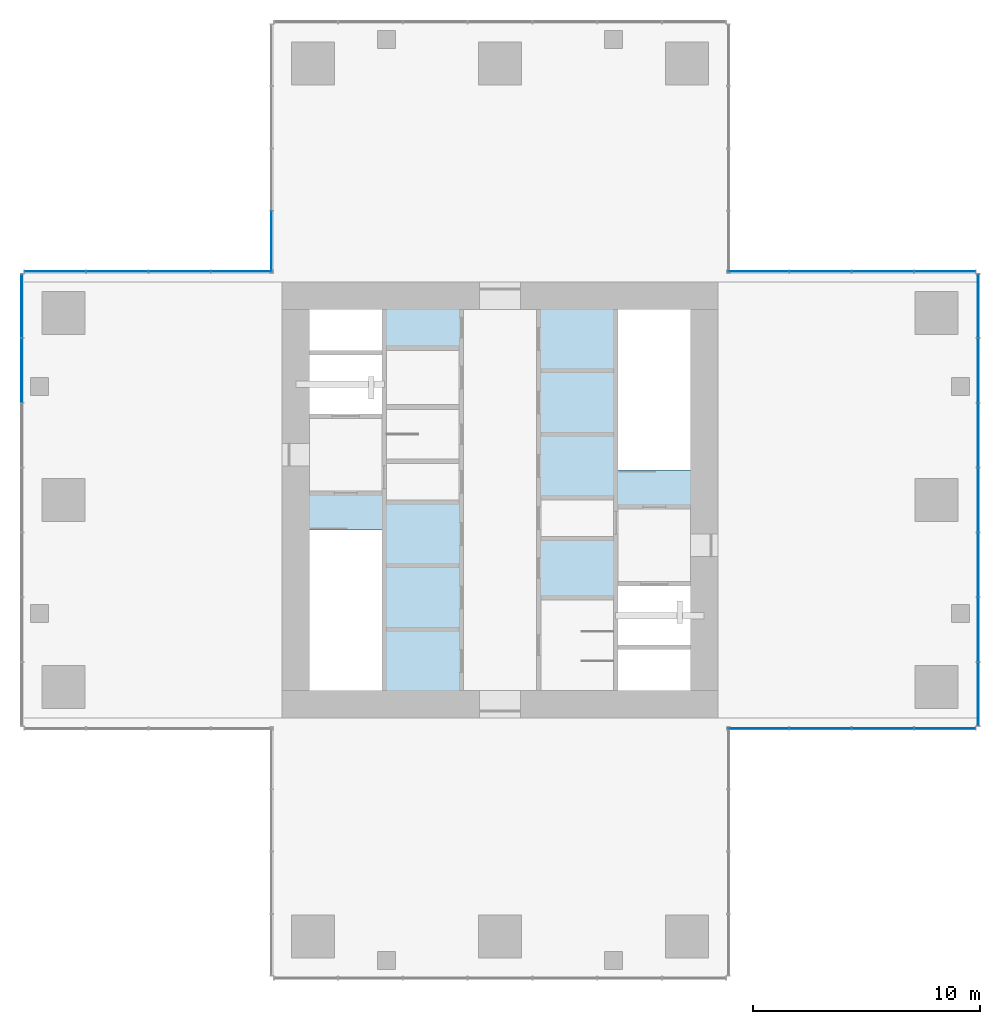
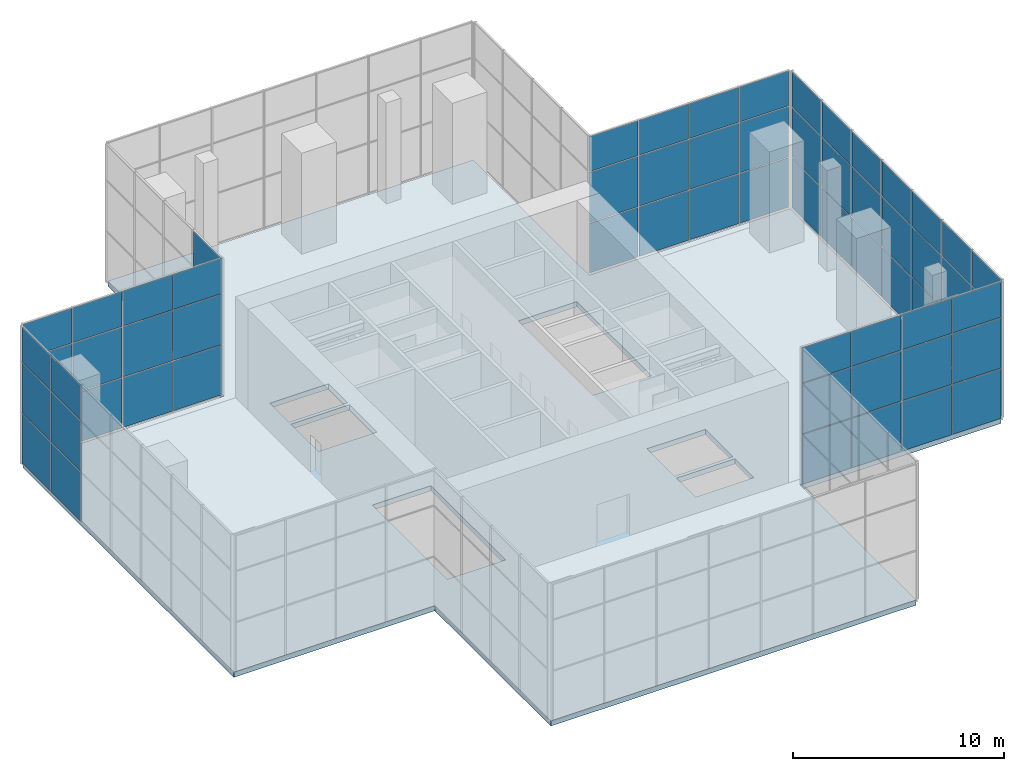
# One storey, part 9 of 12: 66 plates, 1 slab, 6 elements without a shape of their own.
"""IFC4 building model written with IfcOpenShell, lengths in metres."""

from ifc_helpers import new_model, si_unit, direction, frame, origin, origin_2d, place, context, subcontext, project, spatial, polyline, rectangle, outline, extrude, material, layer, layer_set, type_object, element, aggregate, save


model = new_model("IFC4")

# Units and contexts
model_context = context("Model", 3, precision=1e-05, world=origin(), true_north=direction((0.0, 1.0)))
body_context = subcontext(model_context, "Body", "Model", "MODEL_VIEW")
ifc_project = project(units=[si_unit("LENGTHUNIT", "METRE"), si_unit("AREAUNIT", "SQUARE_METRE"), si_unit("VOLUMEUNIT", "CUBIC_METRE"), si_unit("PLANEANGLEUNIT", "RADIAN"), si_unit("MASSUNIT", "GRAM", prefix="KILO")], contexts=[model_context])

# Site, building, storey
site_placement = place(None, origin())
site = spatial("IfcSite", under=ifc_project, at=site_placement, CompositionType="ELEMENT")
building_placement = place(site_placement, origin())
building = spatial("IfcBuilding", under=site, at=building_placement, Name="Svetlomir Tower", CompositionType="ELEMENT")
storey_placement = place(building_placement, frame((0.0, 0.0, 283.89990234375)))
storey = spatial("IfcBuildingStorey", under=building, at=storey_placement, Name="L67", CompositionType="ELEMENT", Elevation=283.89990234375)

# Curtain wall, plates
ifc_material_1 = material(Name="Bronze anodised aluminium curtain wall", Category="aluminium")
curtain_wall_type = type_object("IfcCurtainWallType", Name="CURTAIN WALL CW6 LANTERN", PredefinedType="NOTDEFINED", material=ifc_material_1)
curtain_wall_1_placement = place(storey_placement, origin())
curtain_wall_1 = element("IfcCurtainWall", 1, at=curtain_wall_1_placement, inside=storey, type_object=curtain_wall_type, Name="Curtain wall CW6 L67", PredefinedType="NOTDEFINED")
ifc_material_2 = material(Name="Tinted double glazed unit", Category="glass")
ifc_layer_1 = layer(ifc_material_2, 0.028076171875)
ifc_layer_set_1 = layer_set([ifc_layer_1], Name="Tinted double glazed unit")
plate_type = type_object("IfcPlateType", Name="CW6 GLAZED PANEL 28", PredefinedType="CURTAIN_PANEL", material=ifc_layer_set_1)
plate_1_placement = place(storey_placement, frame((32.389892578125, 10.919921875, 0.06005859375), z_axis=(0.0, 0.0, 1.0), x_axis=(1.0, 0.0, 0.0)))
plate_1 = element("IfcPlate", 2, at=plate_1_placement, type_object=plate_type, Name="CW6 panel 1.1", PredefinedType="CURTAIN_PANEL", context=body_context, shape_type="SweptSolid", body=[
    extrude(rectangle(XDim=2.659912109375, YDim=0.028076171875, at=origin_2d()), origin(), (0.0, 0.0, 1.0), 2.860107421875),
])
plate_2_placement = place(storey_placement, frame((32.389892578125, 10.919921875, 2.97998046875), z_axis=(0.0, 0.0, 1.0), x_axis=(1.0, 0.0, 0.0)))
plate_2 = element("IfcPlate", 3, at=plate_2_placement, type_object=plate_type, Name="CW6 panel 1.2", PredefinedType="CURTAIN_PANEL", context=body_context, shape_type="SweptSolid", body=[
    extrude(rectangle(XDim=2.659912109375, YDim=0.028076171875, at=origin_2d()), origin(), (0.0, 0.0, 1.0), 2.889892578125),
])
plate_3_placement = place(storey_placement, frame((32.389892578125, 10.919921875, 5.93017578125), z_axis=(0.0, 0.0, 1.0), x_axis=(1.0, 0.0, 0.0)))
plate_3 = element("IfcPlate", 4, at=plate_3_placement, type_object=plate_type, Name="CW6 panel 1.3", PredefinedType="CURTAIN_PANEL", context=body_context, shape_type="SweptSolid", body=[
    extrude(rectangle(XDim=2.659912109375, YDim=0.028076171875, at=origin_2d()), origin(), (0.0, 0.0, 1.0), 2.010009765625),
])
plate_4_placement = place(storey_placement, frame((35.125, 10.919921875, 0.06005859375), z_axis=(0.0, 0.0, 1.0), x_axis=(1.0, 0.0, 0.0)))
plate_4 = element("IfcPlate", 5, at=plate_4_placement, type_object=plate_type, Name="CW6 panel 2.1", PredefinedType="CURTAIN_PANEL", context=body_context, shape_type="SweptSolid", body=[
    extrude(rectangle(XDim=2.68994140625, YDim=0.028076171875, at=origin_2d()), origin(), (0.0, 0.0, 1.0), 2.860107421875),
])
plate_5_placement = place(storey_placement, frame((35.125, 10.919921875, 2.97998046875), z_axis=(0.0, 0.0, 1.0), x_axis=(1.0, 0.0, 0.0)))
plate_5 = element("IfcPlate", 6, at=plate_5_placement, type_object=plate_type, Name="CW6 panel 2.2", PredefinedType="CURTAIN_PANEL", context=body_context, shape_type="SweptSolid", body=[
    extrude(rectangle(XDim=2.68994140625, YDim=0.028076171875, at=origin_2d()), origin(), (0.0, 0.0, 1.0), 2.889892578125),
])
plate_6_placement = place(storey_placement, frame((35.125, 10.919921875, 5.93017578125), z_axis=(0.0, 0.0, 1.0), x_axis=(1.0, 0.0, 0.0)))
plate_6 = element("IfcPlate", 7, at=plate_6_placement, type_object=plate_type, Name="CW6 panel 2.3", PredefinedType="CURTAIN_PANEL", context=body_context, shape_type="SweptSolid", body=[
    extrude(rectangle(XDim=2.68994140625, YDim=0.028076171875, at=origin_2d()), origin(), (0.0, 0.0, 1.0), 2.010009765625),
])
plate_7_placement = place(storey_placement, frame((37.875, 10.919921875, 0.06005859375), z_axis=(0.0, 0.0, 1.0), x_axis=(1.0, 0.0, 0.0)))
plate_7 = element("IfcPlate", 8, at=plate_7_placement, type_object=plate_type, Name="CW6 panel 3.1", PredefinedType="CURTAIN_PANEL", context=body_context, shape_type="SweptSolid", body=[
    extrude(rectangle(XDim=2.68994140625, YDim=0.028076171875, at=origin_2d()), origin(), (0.0, 0.0, 1.0), 2.860107421875),
])
plate_8_placement = place(storey_placement, frame((37.875, 10.919921875, 2.97998046875), z_axis=(0.0, 0.0, 1.0), x_axis=(1.0, 0.0, 0.0)))
plate_8 = element("IfcPlate", 9, at=plate_8_placement, type_object=plate_type, Name="CW6 panel 3.2", PredefinedType="CURTAIN_PANEL", context=body_context, shape_type="SweptSolid", body=[
    extrude(rectangle(XDim=2.68994140625, YDim=0.028076171875, at=origin_2d()), origin(), (0.0, 0.0, 1.0), 2.889892578125),
])
plate_9_placement = place(storey_placement, frame((37.875, 10.919921875, 5.93017578125), z_axis=(0.0, 0.0, 1.0), x_axis=(1.0, 0.0, 0.0)))
plate_9 = element("IfcPlate", 10, at=plate_9_placement, type_object=plate_type, Name="CW6 panel 3.3", PredefinedType="CURTAIN_PANEL", context=body_context, shape_type="SweptSolid", body=[
    extrude(rectangle(XDim=2.68994140625, YDim=0.028076171875, at=origin_2d()), origin(), (0.0, 0.0, 1.0), 2.010009765625),
])
plate_10_placement = place(storey_placement, frame((40.610107421875, 10.919921875, 0.06005859375), z_axis=(0.0, 0.0, 1.0), x_axis=(1.0, 0.0, 0.0)))
plate_10 = element("IfcPlate", 11, at=plate_10_placement, type_object=plate_type, Name="CW6 panel 4.1", PredefinedType="CURTAIN_PANEL", context=body_context, shape_type="SweptSolid", body=[
    extrude(rectangle(XDim=2.659912109375, YDim=0.028076171875, at=origin_2d()), origin(), (0.0, 0.0, 1.0), 2.860107421875),
])
plate_11_placement = place(storey_placement, frame((40.610107421875, 10.919921875, 2.97998046875), z_axis=(0.0, 0.0, 1.0), x_axis=(1.0, 0.0, 0.0)))
plate_11 = element("IfcPlate", 12, at=plate_11_placement, type_object=plate_type, Name="CW6 panel 4.2", PredefinedType="CURTAIN_PANEL", context=body_context, shape_type="SweptSolid", body=[
    extrude(rectangle(XDim=2.659912109375, YDim=0.028076171875, at=origin_2d()), origin(), (0.0, 0.0, 1.0), 2.889892578125),
])
plate_12_placement = place(storey_placement, frame((40.610107421875, 10.919921875, 5.93017578125), z_axis=(0.0, 0.0, 1.0), x_axis=(1.0, 0.0, 0.0)))
plate_12 = element("IfcPlate", 13, at=plate_12_placement, type_object=plate_type, Name="CW6 panel 4.3", PredefinedType="CURTAIN_PANEL", context=body_context, shape_type="SweptSolid", body=[
    extrude(rectangle(XDim=2.659912109375, YDim=0.028076171875, at=origin_2d()), origin(), (0.0, 0.0, 1.0), 2.010009765625),
])
aggregate(curtain_wall_1, [plate_1, plate_2, plate_3, plate_4, plate_5, plate_6, plate_7, plate_8, plate_9, plate_10, plate_11, plate_12])

curtain_wall_2_placement = place(storey_placement, origin())
curtain_wall_2 = element("IfcCurtainWall", 14, at=curtain_wall_2_placement, inside=storey, type_object=curtain_wall_type, Name="Curtain wall CW6 L67", PredefinedType="NOTDEFINED")
plate_13_placement = place(storey_placement, frame((42.080078125, 12.443603515625, 0.06005859375), z_axis=(0.0, 0.0, 1.0), x_axis=(0.0, 1.0, 0.0)))
plate_13 = element("IfcPlate", 15, at=plate_13_placement, type_object=plate_type, Name="CW6 panel 1.1", PredefinedType="CURTAIN_PANEL", context=body_context, shape_type="SweptSolid", body=[
    extrude(rectangle(XDim=2.76708984375, YDim=0.028076171875, at=origin_2d()), origin(), (0.0, 0.0, 1.0), 2.860107421875),
])
plate_14_placement = place(storey_placement, frame((42.080078125, 12.443603515625, 2.97998046875), z_axis=(0.0, 0.0, 1.0), x_axis=(0.0, 1.0, 0.0)))
plate_14 = element("IfcPlate", 16, at=plate_14_placement, type_object=plate_type, Name="CW6 panel 1.2", PredefinedType="CURTAIN_PANEL", context=body_context, shape_type="SweptSolid", body=[
    extrude(rectangle(XDim=2.76708984375, YDim=0.028076171875, at=origin_2d()), origin(), (0.0, 0.0, 1.0), 2.889892578125),
])
plate_15_placement = place(storey_placement, frame((42.080078125, 12.443603515625, 5.93017578125), z_axis=(0.0, 0.0, 1.0), x_axis=(0.0, 1.0, 0.0)))
plate_15 = element("IfcPlate", 17, at=plate_15_placement, type_object=plate_type, Name="CW6 panel 1.3", PredefinedType="CURTAIN_PANEL", context=body_context, shape_type="SweptSolid", body=[
    extrude(rectangle(XDim=2.76708984375, YDim=0.028076171875, at=origin_2d()), origin(), (0.0, 0.0, 1.0), 2.010009765625),
])
plate_16_placement = place(storey_placement, frame((42.080078125, 15.28564453125, 0.06005859375), z_axis=(0.0, 0.0, 1.0), x_axis=(0.0, 1.0, 0.0)))
plate_16 = element("IfcPlate", 18, at=plate_16_placement, type_object=plate_type, Name="CW6 panel 2.1", PredefinedType="CURTAIN_PANEL", context=body_context, shape_type="SweptSolid", body=[
    extrude(rectangle(XDim=2.797119140625, YDim=0.028076171875, at=origin_2d()), origin(), (0.0, 0.0, 1.0), 2.860107421875),
])
plate_17_placement = place(storey_placement, frame((42.080078125, 15.28564453125, 2.97998046875), z_axis=(0.0, 0.0, 1.0), x_axis=(0.0, 1.0, 0.0)))
plate_17 = element("IfcPlate", 19, at=plate_17_placement, type_object=plate_type, Name="CW6 panel 2.2", PredefinedType="CURTAIN_PANEL", context=body_context, shape_type="SweptSolid", body=[
    extrude(rectangle(XDim=2.797119140625, YDim=0.028076171875, at=origin_2d()), origin(), (0.0, 0.0, 1.0), 2.889892578125),
])
plate_18_placement = place(storey_placement, frame((42.080078125, 15.28564453125, 5.93017578125), z_axis=(0.0, 0.0, 1.0), x_axis=(0.0, 1.0, 0.0)))
plate_18 = element("IfcPlate", 20, at=plate_18_placement, type_object=plate_type, Name="CW6 panel 2.3", PredefinedType="CURTAIN_PANEL", context=body_context, shape_type="SweptSolid", body=[
    extrude(rectangle(XDim=2.797119140625, YDim=0.028076171875, at=origin_2d()), origin(), (0.0, 0.0, 1.0), 2.010009765625),
])
plate_19_placement = place(storey_placement, frame((42.080078125, 18.142822265625, 0.06005859375), z_axis=(0.0, 0.0, 1.0), x_axis=(0.0, 1.0, 0.0)))
plate_19 = element("IfcPlate", 21, at=plate_19_placement, type_object=plate_type, Name="CW6 panel 3.1", PredefinedType="CURTAIN_PANEL", context=body_context, shape_type="SweptSolid", body=[
    extrude(rectangle(XDim=2.797119140625, YDim=0.028076171875, at=origin_2d()), origin(), (0.0, 0.0, 1.0), 2.860107421875),
])
plate_20_placement = place(storey_placement, frame((42.080078125, 18.142822265625, 2.97998046875), z_axis=(0.0, 0.0, 1.0), x_axis=(0.0, 1.0, 0.0)))
plate_20 = element("IfcPlate", 22, at=plate_20_placement, type_object=plate_type, Name="CW6 panel 3.2", PredefinedType="CURTAIN_PANEL", context=body_context, shape_type="SweptSolid", body=[
    extrude(rectangle(XDim=2.797119140625, YDim=0.028076171875, at=origin_2d()), origin(), (0.0, 0.0, 1.0), 2.889892578125),
])
plate_21_placement = place(storey_placement, frame((42.080078125, 18.142822265625, 5.93017578125), z_axis=(0.0, 0.0, 1.0), x_axis=(0.0, 1.0, 0.0)))
plate_21 = element("IfcPlate", 23, at=plate_21_placement, type_object=plate_type, Name="CW6 panel 3.3", PredefinedType="CURTAIN_PANEL", context=body_context, shape_type="SweptSolid", body=[
    extrude(rectangle(XDim=2.797119140625, YDim=0.028076171875, at=origin_2d()), origin(), (0.0, 0.0, 1.0), 2.010009765625),
])
plate_22_placement = place(storey_placement, frame((42.080078125, 21.0, 0.06005859375), z_axis=(0.0, 0.0, 1.0), x_axis=(0.0, 1.0, 0.0)))
plate_22 = element("IfcPlate", 24, at=plate_22_placement, type_object=plate_type, Name="CW6 panel 4.1", PredefinedType="CURTAIN_PANEL", context=body_context, shape_type="SweptSolid", body=[
    extrude(rectangle(XDim=2.797119140625, YDim=0.028076171875, at=origin_2d()), origin(), (0.0, 0.0, 1.0), 2.860107421875),
])
plate_23_placement = place(storey_placement, frame((42.080078125, 21.0, 2.97998046875), z_axis=(0.0, 0.0, 1.0), x_axis=(0.0, 1.0, 0.0)))
plate_23 = element("IfcPlate", 25, at=plate_23_placement, type_object=plate_type, Name="CW6 panel 4.2", PredefinedType="CURTAIN_PANEL", context=body_context, shape_type="SweptSolid", body=[
    extrude(rectangle(XDim=2.797119140625, YDim=0.028076171875, at=origin_2d()), origin(), (0.0, 0.0, 1.0), 2.889892578125),
])
plate_24_placement = place(storey_placement, frame((42.080078125, 21.0, 5.93017578125), z_axis=(0.0, 0.0, 1.0), x_axis=(0.0, 1.0, 0.0)))
plate_24 = element("IfcPlate", 26, at=plate_24_placement, type_object=plate_type, Name="CW6 panel 4.3", PredefinedType="CURTAIN_PANEL", context=body_context, shape_type="SweptSolid", body=[
    extrude(rectangle(XDim=2.797119140625, YDim=0.028076171875, at=origin_2d()), origin(), (0.0, 0.0, 1.0), 2.010009765625),
])
plate_25_placement = place(storey_placement, frame((42.080078125, 23.857177734375, 0.06005859375), z_axis=(0.0, 0.0, 1.0), x_axis=(0.0, 1.0, 0.0)))
plate_25 = element("IfcPlate", 27, at=plate_25_placement, type_object=plate_type, Name="CW6 panel 5.1", PredefinedType="CURTAIN_PANEL", context=body_context, shape_type="SweptSolid", body=[
    extrude(rectangle(XDim=2.797119140625, YDim=0.028076171875, at=origin_2d()), origin(), (0.0, 0.0, 1.0), 2.860107421875),
])
plate_26_placement = place(storey_placement, frame((42.080078125, 23.857177734375, 2.97998046875), z_axis=(0.0, 0.0, 1.0), x_axis=(0.0, 1.0, 0.0)))
plate_26 = element("IfcPlate", 28, at=plate_26_placement, type_object=plate_type, Name="CW6 panel 5.2", PredefinedType="CURTAIN_PANEL", context=body_context, shape_type="SweptSolid", body=[
    extrude(rectangle(XDim=2.797119140625, YDim=0.028076171875, at=origin_2d()), origin(), (0.0, 0.0, 1.0), 2.889892578125),
])
plate_27_placement = place(storey_placement, frame((42.080078125, 23.857177734375, 5.93017578125), z_axis=(0.0, 0.0, 1.0), x_axis=(0.0, 1.0, 0.0)))
plate_27 = element("IfcPlate", 29, at=plate_27_placement, type_object=plate_type, Name="CW6 panel 5.3", PredefinedType="CURTAIN_PANEL", context=body_context, shape_type="SweptSolid", body=[
    extrude(rectangle(XDim=2.797119140625, YDim=0.028076171875, at=origin_2d()), origin(), (0.0, 0.0, 1.0), 2.010009765625),
])
plate_28_placement = place(storey_placement, frame((42.080078125, 26.71435546875, 0.06005859375), z_axis=(0.0, 0.0, 1.0), x_axis=(0.0, 1.0, 0.0)))
plate_28 = element("IfcPlate", 30, at=plate_28_placement, type_object=plate_type, Name="CW6 panel 6.1", PredefinedType="CURTAIN_PANEL", context=body_context, shape_type="SweptSolid", body=[
    extrude(rectangle(XDim=2.797119140625, YDim=0.028076171875, at=origin_2d()), origin(), (0.0, 0.0, 1.0), 2.860107421875),
])
plate_29_placement = place(storey_placement, frame((42.080078125, 26.71435546875, 2.97998046875), z_axis=(0.0, 0.0, 1.0), x_axis=(0.0, 1.0, 0.0)))
plate_29 = element("IfcPlate", 31, at=plate_29_placement, type_object=plate_type, Name="CW6 panel 6.2", PredefinedType="CURTAIN_PANEL", context=body_context, shape_type="SweptSolid", body=[
    extrude(rectangle(XDim=2.797119140625, YDim=0.028076171875, at=origin_2d()), origin(), (0.0, 0.0, 1.0), 2.889892578125),
])
plate_30_placement = place(storey_placement, frame((42.080078125, 26.71435546875, 5.93017578125), z_axis=(0.0, 0.0, 1.0), x_axis=(0.0, 1.0, 0.0)))
plate_30 = element("IfcPlate", 32, at=plate_30_placement, type_object=plate_type, Name="CW6 panel 6.3", PredefinedType="CURTAIN_PANEL", context=body_context, shape_type="SweptSolid", body=[
    extrude(rectangle(XDim=2.797119140625, YDim=0.028076171875, at=origin_2d()), origin(), (0.0, 0.0, 1.0), 2.010009765625),
])
plate_31_placement = place(storey_placement, frame((42.080078125, 29.556396484375, 0.06005859375), z_axis=(0.0, 0.0, 1.0), x_axis=(0.0, 1.0, 0.0)))
plate_31 = element("IfcPlate", 33, at=plate_31_placement, type_object=plate_type, Name="CW6 panel 7.1", PredefinedType="CURTAIN_PANEL", context=body_context, shape_type="SweptSolid", body=[
    extrude(rectangle(XDim=2.76708984375, YDim=0.028076171875, at=origin_2d()), origin(), (0.0, 0.0, 1.0), 2.860107421875),
])
plate_32_placement = place(storey_placement, frame((42.080078125, 29.556396484375, 2.97998046875), z_axis=(0.0, 0.0, 1.0), x_axis=(0.0, 1.0, 0.0)))
plate_32 = element("IfcPlate", 34, at=plate_32_placement, type_object=plate_type, Name="CW6 panel 7.2", PredefinedType="CURTAIN_PANEL", context=body_context, shape_type="SweptSolid", body=[
    extrude(rectangle(XDim=2.76708984375, YDim=0.028076171875, at=origin_2d()), origin(), (0.0, 0.0, 1.0), 2.889892578125),
])
plate_33_placement = place(storey_placement, frame((42.080078125, 29.556396484375, 5.93017578125), z_axis=(0.0, 0.0, 1.0), x_axis=(0.0, 1.0, 0.0)))
plate_33 = element("IfcPlate", 35, at=plate_33_placement, type_object=plate_type, Name="CW6 panel 7.3", PredefinedType="CURTAIN_PANEL", context=body_context, shape_type="SweptSolid", body=[
    extrude(rectangle(XDim=2.76708984375, YDim=0.028076171875, at=origin_2d()), origin(), (0.0, 0.0, 1.0), 2.010009765625),
])
aggregate(curtain_wall_2, [plate_13, plate_14, plate_15, plate_16, plate_17, plate_18, plate_19, plate_20, plate_21, plate_22, plate_23, plate_24, plate_25, plate_26, plate_27, plate_28, plate_29, plate_30, plate_31, plate_32, plate_33])

curtain_wall_3_placement = place(storey_placement, origin())
curtain_wall_3 = element("IfcCurtainWall", 36, at=curtain_wall_3_placement, inside=storey, type_object=curtain_wall_type, Name="Curtain wall CW6 L67", PredefinedType="NOTDEFINED")
plate_34_placement = place(storey_placement, frame((40.610107421875, 31.080078125, 0.06005859375), z_axis=(0.0, 0.0, 1.0), x_axis=(-1.0, 0.0, 0.0)))
plate_34 = element("IfcPlate", 37, at=plate_34_placement, type_object=plate_type, Name="CW6 panel 1.1", PredefinedType="CURTAIN_PANEL", context=body_context, shape_type="SweptSolid", body=[
    extrude(rectangle(XDim=2.659912109375, YDim=0.028076171875, at=origin_2d()), origin(), (0.0, 0.0, 1.0), 2.860107421875),
])
plate_35_placement = place(storey_placement, frame((40.610107421875, 31.080078125, 2.97998046875), z_axis=(0.0, 0.0, 1.0), x_axis=(-1.0, 0.0, 0.0)))
plate_35 = element("IfcPlate", 38, at=plate_35_placement, type_object=plate_type, Name="CW6 panel 1.2", PredefinedType="CURTAIN_PANEL", context=body_context, shape_type="SweptSolid", body=[
    extrude(rectangle(XDim=2.659912109375, YDim=0.028076171875, at=origin_2d()), origin(), (0.0, 0.0, 1.0), 2.889892578125),
])
plate_36_placement = place(storey_placement, frame((40.610107421875, 31.080078125, 5.93017578125), z_axis=(0.0, 0.0, 1.0), x_axis=(-1.0, 0.0, 0.0)))
plate_36 = element("IfcPlate", 39, at=plate_36_placement, type_object=plate_type, Name="CW6 panel 1.3", PredefinedType="CURTAIN_PANEL", context=body_context, shape_type="SweptSolid", body=[
    extrude(rectangle(XDim=2.659912109375, YDim=0.028076171875, at=origin_2d()), origin(), (0.0, 0.0, 1.0), 2.010009765625),
])
plate_37_placement = place(storey_placement, frame((37.875, 31.080078125, 0.06005859375), z_axis=(0.0, 0.0, 1.0), x_axis=(-1.0, 0.0, 0.0)))
plate_37 = element("IfcPlate", 40, at=plate_37_placement, type_object=plate_type, Name="CW6 panel 2.1", PredefinedType="CURTAIN_PANEL", context=body_context, shape_type="SweptSolid", body=[
    extrude(rectangle(XDim=2.68994140625, YDim=0.028076171875, at=origin_2d()), origin(), (0.0, 0.0, 1.0), 2.860107421875),
])
plate_38_placement = place(storey_placement, frame((37.875, 31.080078125, 2.97998046875), z_axis=(0.0, 0.0, 1.0), x_axis=(-1.0, 0.0, 0.0)))
plate_38 = element("IfcPlate", 41, at=plate_38_placement, type_object=plate_type, Name="CW6 panel 2.2", PredefinedType="CURTAIN_PANEL", context=body_context, shape_type="SweptSolid", body=[
    extrude(rectangle(XDim=2.68994140625, YDim=0.028076171875, at=origin_2d()), origin(), (0.0, 0.0, 1.0), 2.889892578125),
])
plate_39_placement = place(storey_placement, frame((37.875, 31.080078125, 5.93017578125), z_axis=(0.0, 0.0, 1.0), x_axis=(-1.0, 0.0, 0.0)))
plate_39 = element("IfcPlate", 42, at=plate_39_placement, type_object=plate_type, Name="CW6 panel 2.3", PredefinedType="CURTAIN_PANEL", context=body_context, shape_type="SweptSolid", body=[
    extrude(rectangle(XDim=2.68994140625, YDim=0.028076171875, at=origin_2d()), origin(), (0.0, 0.0, 1.0), 2.010009765625),
])
plate_40_placement = place(storey_placement, frame((35.125, 31.080078125, 0.06005859375), z_axis=(0.0, 0.0, 1.0), x_axis=(-1.0, 0.0, 0.0)))
plate_40 = element("IfcPlate", 43, at=plate_40_placement, type_object=plate_type, Name="CW6 panel 3.1", PredefinedType="CURTAIN_PANEL", context=body_context, shape_type="SweptSolid", body=[
    extrude(rectangle(XDim=2.68994140625, YDim=0.028076171875, at=origin_2d()), origin(), (0.0, 0.0, 1.0), 2.860107421875),
])
plate_41_placement = place(storey_placement, frame((35.125, 31.080078125, 2.97998046875), z_axis=(0.0, 0.0, 1.0), x_axis=(-1.0, 0.0, 0.0)))
plate_41 = element("IfcPlate", 44, at=plate_41_placement, type_object=plate_type, Name="CW6 panel 3.2", PredefinedType="CURTAIN_PANEL", context=body_context, shape_type="SweptSolid", body=[
    extrude(rectangle(XDim=2.68994140625, YDim=0.028076171875, at=origin_2d()), origin(), (0.0, 0.0, 1.0), 2.889892578125),
])
plate_42_placement = place(storey_placement, frame((35.125, 31.080078125, 5.93017578125), z_axis=(0.0, 0.0, 1.0), x_axis=(-1.0, 0.0, 0.0)))
plate_42 = element("IfcPlate", 45, at=plate_42_placement, type_object=plate_type, Name="CW6 panel 3.3", PredefinedType="CURTAIN_PANEL", context=body_context, shape_type="SweptSolid", body=[
    extrude(rectangle(XDim=2.68994140625, YDim=0.028076171875, at=origin_2d()), origin(), (0.0, 0.0, 1.0), 2.010009765625),
])
plate_43_placement = place(storey_placement, frame((32.389892578125, 31.080078125, 0.06005859375), z_axis=(0.0, 0.0, 1.0), x_axis=(-1.0, 0.0, 0.0)))
plate_43 = element("IfcPlate", 46, at=plate_43_placement, type_object=plate_type, Name="CW6 panel 4.1", PredefinedType="CURTAIN_PANEL", context=body_context, shape_type="SweptSolid", body=[
    extrude(rectangle(XDim=2.659912109375, YDim=0.028076171875, at=origin_2d()), origin(), (0.0, 0.0, 1.0), 2.860107421875),
])
plate_44_placement = place(storey_placement, frame((32.389892578125, 31.080078125, 2.97998046875), z_axis=(0.0, 0.0, 1.0), x_axis=(-1.0, 0.0, 0.0)))
plate_44 = element("IfcPlate", 47, at=plate_44_placement, type_object=plate_type, Name="CW6 panel 4.2", PredefinedType="CURTAIN_PANEL", context=body_context, shape_type="SweptSolid", body=[
    extrude(rectangle(XDim=2.659912109375, YDim=0.028076171875, at=origin_2d()), origin(), (0.0, 0.0, 1.0), 2.889892578125),
])
plate_45_placement = place(storey_placement, frame((32.389892578125, 31.080078125, 5.93017578125), z_axis=(0.0, 0.0, 1.0), x_axis=(-1.0, 0.0, 0.0)))
plate_45 = element("IfcPlate", 48, at=plate_45_placement, type_object=plate_type, Name="CW6 panel 4.3", PredefinedType="CURTAIN_PANEL", context=body_context, shape_type="SweptSolid", body=[
    extrude(rectangle(XDim=2.659912109375, YDim=0.028076171875, at=origin_2d()), origin(), (0.0, 0.0, 1.0), 2.010009765625),
])
aggregate(curtain_wall_3, [plate_34, plate_35, plate_36, plate_37, plate_38, plate_39, plate_40, plate_41, plate_42, plate_43, plate_44, plate_45])

curtain_wall_4_placement = place(storey_placement, origin())
curtain_wall_4 = element("IfcCurtainWall", 49, at=curtain_wall_4_placement, inside=storey, type_object=curtain_wall_type, Name="Curtain wall CW6 L67", PredefinedType="NOTDEFINED")
plate_46_placement = place(storey_placement, frame((10.919921875, 32.389892578125, 0.06005859375), z_axis=(0.0, 0.0, 1.0), x_axis=(0.0, -1.0, 0.0)))
plate_46 = element("IfcPlate", 50, at=plate_46_placement, type_object=plate_type, Name="CW6 panel 4.1", PredefinedType="CURTAIN_PANEL", context=body_context, shape_type="SweptSolid", body=[
    extrude(rectangle(XDim=2.659912109375, YDim=0.028076171875, at=origin_2d()), origin(), (0.0, 0.0, 1.0), 2.860107421875),
])
plate_47_placement = place(storey_placement, frame((10.919921875, 32.389892578125, 2.97998046875), z_axis=(0.0, 0.0, 1.0), x_axis=(0.0, -1.0, 0.0)))
plate_47 = element("IfcPlate", 51, at=plate_47_placement, type_object=plate_type, Name="CW6 panel 4.2", PredefinedType="CURTAIN_PANEL", context=body_context, shape_type="SweptSolid", body=[
    extrude(rectangle(XDim=2.659912109375, YDim=0.028076171875, at=origin_2d()), origin(), (0.0, 0.0, 1.0), 2.889892578125),
])
plate_48_placement = place(storey_placement, frame((10.919921875, 32.389892578125, 5.93017578125), z_axis=(0.0, 0.0, 1.0), x_axis=(0.0, -1.0, 0.0)))
plate_48 = element("IfcPlate", 52, at=plate_48_placement, type_object=plate_type, Name="CW6 panel 4.3", PredefinedType="CURTAIN_PANEL", context=body_context, shape_type="SweptSolid", body=[
    extrude(rectangle(XDim=2.659912109375, YDim=0.028076171875, at=origin_2d()), origin(), (0.0, 0.0, 1.0), 2.010009765625),
])
aggregate(curtain_wall_4, [plate_46, plate_47, plate_48])

curtain_wall_5_placement = place(storey_placement, origin())
curtain_wall_5 = element("IfcCurtainWall", 53, at=curtain_wall_5_placement, inside=storey, type_object=curtain_wall_type, Name="Curtain wall CW6 L67", PredefinedType="NOTDEFINED")
plate_49_placement = place(storey_placement, frame((9.610107421875, 31.080078125, 0.06005859375), z_axis=(0.0, 0.0, 1.0), x_axis=(-1.0, 0.0, 0.0)))
plate_49 = element("IfcPlate", 54, at=plate_49_placement, type_object=plate_type, Name="CW6 panel 1.1", PredefinedType="CURTAIN_PANEL", context=body_context, shape_type="SweptSolid", body=[
    extrude(rectangle(XDim=2.659912109375, YDim=0.028076171875, at=origin_2d()), origin(), (0.0, 0.0, 1.0), 2.860107421875),
])
plate_50_placement = place(storey_placement, frame((9.610107421875, 31.080078125, 2.97998046875), z_axis=(0.0, 0.0, 1.0), x_axis=(-1.0, 0.0, 0.0)))
plate_50 = element("IfcPlate", 55, at=plate_50_placement, type_object=plate_type, Name="CW6 panel 1.2", PredefinedType="CURTAIN_PANEL", context=body_context, shape_type="SweptSolid", body=[
    extrude(rectangle(XDim=2.659912109375, YDim=0.028076171875, at=origin_2d()), origin(), (0.0, 0.0, 1.0), 2.889892578125),
])
plate_51_placement = place(storey_placement, frame((9.610107421875, 31.080078125, 5.93017578125), z_axis=(0.0, 0.0, 1.0), x_axis=(-1.0, 0.0, 0.0)))
plate_51 = element("IfcPlate", 56, at=plate_51_placement, type_object=plate_type, Name="CW6 panel 1.3", PredefinedType="CURTAIN_PANEL", context=body_context, shape_type="SweptSolid", body=[
    extrude(rectangle(XDim=2.659912109375, YDim=0.028076171875, at=origin_2d()), origin(), (0.0, 0.0, 1.0), 2.010009765625),
])
plate_52_placement = place(storey_placement, frame((6.875, 31.080078125, 0.06005859375), z_axis=(0.0, 0.0, 1.0), x_axis=(-1.0, 0.0, 0.0)))
plate_52 = element("IfcPlate", 57, at=plate_52_placement, type_object=plate_type, Name="CW6 panel 2.1", PredefinedType="CURTAIN_PANEL", context=body_context, shape_type="SweptSolid", body=[
    extrude(rectangle(XDim=2.68994140625, YDim=0.028076171875, at=origin_2d()), origin(), (0.0, 0.0, 1.0), 2.860107421875),
])
plate_53_placement = place(storey_placement, frame((6.875, 31.080078125, 2.97998046875), z_axis=(0.0, 0.0, 1.0), x_axis=(-1.0, 0.0, 0.0)))
plate_53 = element("IfcPlate", 58, at=plate_53_placement, type_object=plate_type, Name="CW6 panel 2.2", PredefinedType="CURTAIN_PANEL", context=body_context, shape_type="SweptSolid", body=[
    extrude(rectangle(XDim=2.68994140625, YDim=0.028076171875, at=origin_2d()), origin(), (0.0, 0.0, 1.0), 2.889892578125),
])
plate_54_placement = place(storey_placement, frame((6.875, 31.080078125, 5.93017578125), z_axis=(0.0, 0.0, 1.0), x_axis=(-1.0, 0.0, 0.0)))
plate_54 = element("IfcPlate", 59, at=plate_54_placement, type_object=plate_type, Name="CW6 panel 2.3", PredefinedType="CURTAIN_PANEL", context=body_context, shape_type="SweptSolid", body=[
    extrude(rectangle(XDim=2.68994140625, YDim=0.028076171875, at=origin_2d()), origin(), (0.0, 0.0, 1.0), 2.010009765625),
])
plate_55_placement = place(storey_placement, frame((4.125, 31.080078125, 0.06005859375), z_axis=(0.0, 0.0, 1.0), x_axis=(-1.0, 0.0, 0.0)))
plate_55 = element("IfcPlate", 60, at=plate_55_placement, type_object=plate_type, Name="CW6 panel 3.1", PredefinedType="CURTAIN_PANEL", context=body_context, shape_type="SweptSolid", body=[
    extrude(rectangle(XDim=2.68994140625, YDim=0.028076171875, at=origin_2d()), origin(), (0.0, 0.0, 1.0), 2.860107421875),
])
plate_56_placement = place(storey_placement, frame((4.125, 31.080078125, 2.97998046875), z_axis=(0.0, 0.0, 1.0), x_axis=(-1.0, 0.0, 0.0)))
plate_56 = element("IfcPlate", 61, at=plate_56_placement, type_object=plate_type, Name="CW6 panel 3.2", PredefinedType="CURTAIN_PANEL", context=body_context, shape_type="SweptSolid", body=[
    extrude(rectangle(XDim=2.68994140625, YDim=0.028076171875, at=origin_2d()), origin(), (0.0, 0.0, 1.0), 2.889892578125),
])
plate_57_placement = place(storey_placement, frame((4.125, 31.080078125, 5.93017578125), z_axis=(0.0, 0.0, 1.0), x_axis=(-1.0, 0.0, 0.0)))
plate_57 = element("IfcPlate", 62, at=plate_57_placement, type_object=plate_type, Name="CW6 panel 3.3", PredefinedType="CURTAIN_PANEL", context=body_context, shape_type="SweptSolid", body=[
    extrude(rectangle(XDim=2.68994140625, YDim=0.028076171875, at=origin_2d()), origin(), (0.0, 0.0, 1.0), 2.010009765625),
])
plate_58_placement = place(storey_placement, frame((1.389892578125, 31.080078125, 0.06005859375), z_axis=(0.0, 0.0, 1.0), x_axis=(-1.0, 0.0, 0.0)))
plate_58 = element("IfcPlate", 63, at=plate_58_placement, type_object=plate_type, Name="CW6 panel 4.1", PredefinedType="CURTAIN_PANEL", context=body_context, shape_type="SweptSolid", body=[
    extrude(rectangle(XDim=2.659912109375, YDim=0.028076171875, at=origin_2d()), origin(), (0.0, 0.0, 1.0), 2.860107421875),
])
plate_59_placement = place(storey_placement, frame((1.389892578125, 31.080078125, 2.97998046875), z_axis=(0.0, 0.0, 1.0), x_axis=(-1.0, 0.0, 0.0)))
plate_59 = element("IfcPlate", 64, at=plate_59_placement, type_object=plate_type, Name="CW6 panel 4.2", PredefinedType="CURTAIN_PANEL", context=body_context, shape_type="SweptSolid", body=[
    extrude(rectangle(XDim=2.659912109375, YDim=0.028076171875, at=origin_2d()), origin(), (0.0, 0.0, 1.0), 2.889892578125),
])
plate_60_placement = place(storey_placement, frame((1.389892578125, 31.080078125, 5.93017578125), z_axis=(0.0, 0.0, 1.0), x_axis=(-1.0, 0.0, 0.0)))
plate_60 = element("IfcPlate", 65, at=plate_60_placement, type_object=plate_type, Name="CW6 panel 4.3", PredefinedType="CURTAIN_PANEL", context=body_context, shape_type="SweptSolid", body=[
    extrude(rectangle(XDim=2.659912109375, YDim=0.028076171875, at=origin_2d()), origin(), (0.0, 0.0, 1.0), 2.010009765625),
])
aggregate(curtain_wall_5, [plate_49, plate_50, plate_51, plate_52, plate_53, plate_54, plate_55, plate_56, plate_57, plate_58, plate_59, plate_60])

curtain_wall_6_placement = place(storey_placement, origin())
curtain_wall_6 = element("IfcCurtainWall", 66, at=curtain_wall_6_placement, inside=storey, type_object=curtain_wall_type, Name="Curtain wall CW6 L67", PredefinedType="NOTDEFINED")
plate_61_placement = place(storey_placement, frame((-0.080078125, 29.556396484375, 0.06005859375), z_axis=(0.0, 0.0, 1.0), x_axis=(0.0, -1.0, 0.0)))
plate_61 = element("IfcPlate", 67, at=plate_61_placement, type_object=plate_type, Name="CW6 panel 1.1", PredefinedType="CURTAIN_PANEL", context=body_context, shape_type="SweptSolid", body=[
    extrude(rectangle(XDim=2.76708984375, YDim=0.028076171875, at=origin_2d()), origin(), (0.0, 0.0, 1.0), 2.860107421875),
])
plate_62_placement = place(storey_placement, frame((-0.080078125, 29.556396484375, 2.97998046875), z_axis=(0.0, 0.0, 1.0), x_axis=(0.0, -1.0, 0.0)))
plate_62 = element("IfcPlate", 68, at=plate_62_placement, type_object=plate_type, Name="CW6 panel 1.2", PredefinedType="CURTAIN_PANEL", context=body_context, shape_type="SweptSolid", body=[
    extrude(rectangle(XDim=2.76708984375, YDim=0.028076171875, at=origin_2d()), origin(), (0.0, 0.0, 1.0), 2.889892578125),
])
plate_63_placement = place(storey_placement, frame((-0.080078125, 29.556396484375, 5.93017578125), z_axis=(0.0, 0.0, 1.0), x_axis=(0.0, -1.0, 0.0)))
plate_63 = element("IfcPlate", 69, at=plate_63_placement, type_object=plate_type, Name="CW6 panel 1.3", PredefinedType="CURTAIN_PANEL", context=body_context, shape_type="SweptSolid", body=[
    extrude(rectangle(XDim=2.76708984375, YDim=0.028076171875, at=origin_2d()), origin(), (0.0, 0.0, 1.0), 2.010009765625),
])
plate_64_placement = place(storey_placement, frame((-0.080078125, 26.71435546875, 0.06005859375), z_axis=(0.0, 0.0, 1.0), x_axis=(0.0, -1.0, 0.0)))
plate_64 = element("IfcPlate", 70, at=plate_64_placement, type_object=plate_type, Name="CW6 panel 2.1", PredefinedType="CURTAIN_PANEL", context=body_context, shape_type="SweptSolid", body=[
    extrude(rectangle(XDim=2.797119140625, YDim=0.028076171875, at=origin_2d()), origin(), (0.0, 0.0, 1.0), 2.860107421875),
])
plate_65_placement = place(storey_placement, frame((-0.080078125, 26.71435546875, 2.97998046875), z_axis=(0.0, 0.0, 1.0), x_axis=(0.0, -1.0, 0.0)))
plate_65 = element("IfcPlate", 71, at=plate_65_placement, type_object=plate_type, Name="CW6 panel 2.2", PredefinedType="CURTAIN_PANEL", context=body_context, shape_type="SweptSolid", body=[
    extrude(rectangle(XDim=2.797119140625, YDim=0.028076171875, at=origin_2d()), origin(), (0.0, 0.0, 1.0), 2.889892578125),
])
plate_66_placement = place(storey_placement, frame((-0.080078125, 26.71435546875, 5.93017578125), z_axis=(0.0, 0.0, 1.0), x_axis=(0.0, -1.0, 0.0)))
plate_66 = element("IfcPlate", 72, at=plate_66_placement, type_object=plate_type, Name="CW6 panel 2.3", PredefinedType="CURTAIN_PANEL", context=body_context, shape_type="SweptSolid", body=[
    extrude(rectangle(XDim=2.797119140625, YDim=0.028076171875, at=origin_2d()), origin(), (0.0, 0.0, 1.0), 2.010009765625),
])
aggregate(curtain_wall_6, [plate_61, plate_62, plate_63, plate_64, plate_65, plate_66])

# Slab
ifc_material_3 = material(Name="Concrete C60/75", Category="concrete")
ifc_layer_2 = layer(ifc_material_3, 0.300048828125)
ifc_layer_set_2 = layer_set([ifc_layer_2], Name="Concrete C60/75")
slab_type = type_object("IfcSlabType", Name="FLOOR SLAB 300", PredefinedType="FLOOR", material=ifc_layer_set_2)
slab_placement = place(storey_placement, frame((0.0, 0.0, -0.2998046875)))
element("IfcSlab", 73, at=slab_placement, inside=storey, type_object=slab_type, Name="L67 floor slab", PredefinedType="FLOOR", context=body_context, shape_type="SweptSolid", body=[
    extrude(outline(polyline([(11.0, 0.0), (31.0, 0.0), (31.0, 11.0), (42.0, 11.0), (42.0, 31.0), (31.0, 31.0), (31.0, 42.0), (11.0, 42.0), (11.0, 31.0), (0.0, 31.0), (0.0, 11.0), (11.0, 11.0), (11.0, 0.0)]), holes=[polyline([(12.60009765625, 24.800048828125), (15.800048828125, 24.800048828125), (15.800048828125, 27.39990234375), (12.60009765625, 27.39990234375), (12.60009765625, 24.800048828125)]), polyline([(26.199951171875, 14.60009765625), (29.39990234375, 14.60009765625), (29.39990234375, 17.199951171875), (26.199951171875, 17.199951171875), (26.199951171875, 14.60009765625)]), polyline([(12.60009765625, 27.60009765625), (15.800048828125, 27.60009765625), (15.800048828125, 29.39990234375), (12.60009765625, 29.39990234375), (12.60009765625, 27.60009765625)]), polyline([(26.199951171875, 12.60009765625), (29.39990234375, 12.60009765625), (29.39990234375, 14.39990234375), (26.199951171875, 14.39990234375), (26.199951171875, 12.60009765625)]), polyline([(12.60009765625, 12.60009765625), (15.800048828125, 12.60009765625), (15.800048828125, 19.679931640625), (12.60009765625, 19.679931640625), (12.60009765625, 12.60009765625)]), polyline([(26.199951171875, 22.320068359375), (29.39990234375, 22.320068359375), (29.39990234375, 29.39990234375), (26.199951171875, 29.39990234375), (26.199951171875, 22.320068359375)])]), origin(), (0.0, 0.0, 1.0), 0.2998046875),
])

save(model, "model.ifc")
